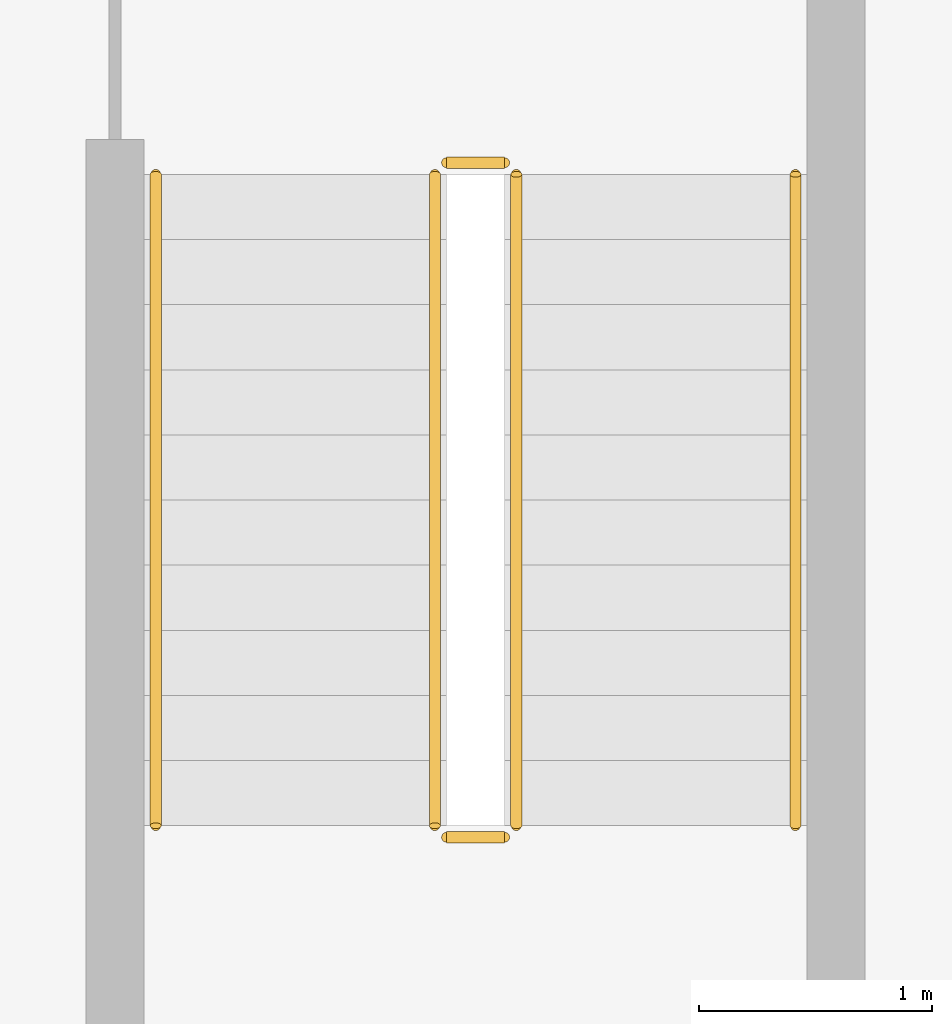
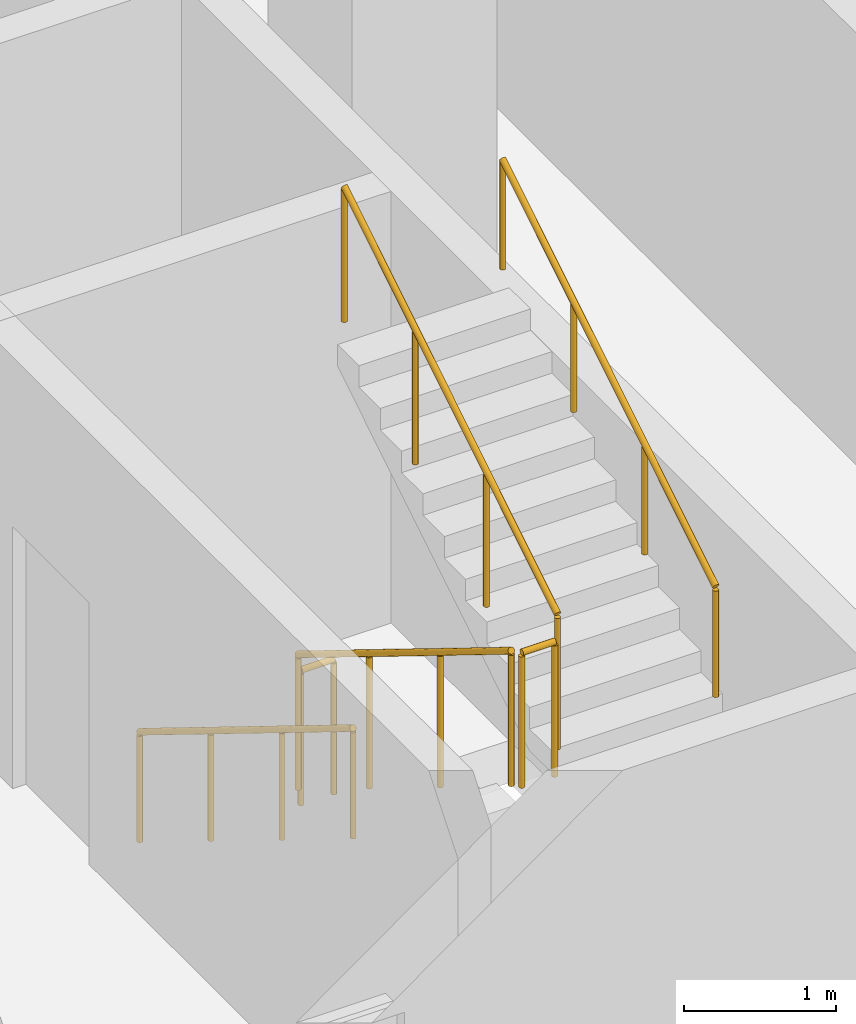
# One storey, part 25 of 29: 6 railings.
"""IFC4 building model written with IfcOpenShell, lengths in metres."""

from ifc_helpers import new_model, si_unit, direction, frame, origin, origin_2d, place, context, subcontext, project, spatial, circle, extrude, material, type_object, element, save


model = new_model("IFC4")

# Units and contexts
model_context = context("Model", 3, precision=1e-05, world=origin(), true_north=direction((0.0, 1.0)))
body_context = subcontext(model_context, "Body", "Model", "MODEL_VIEW")
ifc_project = project(units=[si_unit("LENGTHUNIT", "METRE"), si_unit("AREAUNIT", "SQUARE_METRE"), si_unit("VOLUMEUNIT", "CUBIC_METRE"), si_unit("PLANEANGLEUNIT", "RADIAN"), si_unit("MASSUNIT", "GRAM", prefix="KILO")], contexts=[model_context])

# Site, building, storey
site_placement = place(None, origin())
site = spatial("IfcSite", under=ifc_project, at=site_placement, CompositionType="ELEMENT")
building_placement = place(site_placement, origin())
building = spatial("IfcBuilding", under=site, at=building_placement, Name="Mahtab Terrace Research Tower", CompositionType="ELEMENT")
storey_placement = place(building_placement, frame((0.0, 0.0, 197.699951171875)))
storey = spatial("IfcBuildingStorey", under=building, at=storey_placement, Name="L47", CompositionType="ELEMENT", Elevation=197.699951171875)

# Railings
ifc_material = material(Name="Stainless steel AISI 304", Category="steel")
railing_type_1 = type_object("IfcRailingType", Name="Stair guard 1100", PredefinedType="GUARDRAIL", material=ifc_material)
railing_1_placement = place(storey_placement, frame((2.949951171875, -4.175048828125, 0.1728515625)))
element("IfcRailing", 1, at=railing_1_placement, inside=storey, type_object=railing_type_1, Name="L47 ST2 stair guard 1", PredefinedType="GUARDRAIL", context=body_context, shape_type="SweptSolid", body=[
    extrude(circle(Radius=0.02392578125, at=origin_2d()), frame((0.0, 0.0, 1.076171875), z_axis=(0.0, -0.851089632645, 0.525020415988), x_axis=(1.0, 0.0, 0.0)), (0.0, 0.0, 1.0), 3.2900390625),
    extrude(circle(Radius=0.02099609375, at=origin_2d()), origin(), (0.0, 0.0, 1.0), 1.052001953125),
    extrude(circle(Radius=0.02099609375, at=origin_2d()), frame((0.0, -0.933349609375, 0.57568359375)), (0.0, 0.0, 1.0), 1.052001953125),
    extrude(circle(Radius=0.02099609375, at=origin_2d()), frame((0.0, -1.86669921875, 1.151611328125)), (0.0, 0.0, 1.0), 1.052001953125),
    extrude(circle(Radius=0.02099609375, at=origin_2d()), frame((0.0, -2.800048828125, 1.727294921875)), (0.0, 0.0, 1.0), 1.052001953125),
])
railing_2_placement = place(storey_placement, frame((3.0, -7.02490234375, 1.900146484375)))
element("IfcRailing", 2, at=railing_2_placement, inside=storey, type_object=railing_type_1, Name="L47 ST2 stair guard 2", PredefinedType="GUARDRAIL", context=body_context, shape_type="SweptSolid", body=[
    extrude(circle(Radius=0.02392578125, at=origin_2d()), frame((0.0, 0.0, 1.076171875), z_axis=(1.0, 0.0, 0.0), x_axis=(0.0, 1.0, 0.0)), (0.0, 0.0, 1.0), 0.25),
    extrude(circle(Radius=0.02099609375, at=origin_2d()), origin(), (0.0, 0.0, 1.0), 1.052001953125),
    extrude(circle(Radius=0.02099609375, at=origin_2d()), frame((0.25, 0.0, 0.0)), (0.0, 0.0, 1.0), 1.052001953125),
])
railing_3_placement = place(storey_placement, frame((3.300048828125, -6.97509765625, 2.07275390625)))
element("IfcRailing", 3, at=railing_3_placement, inside=storey, type_object=railing_type_1, Name="L47 ST2 stair guard 3", PredefinedType="GUARDRAIL", context=body_context, shape_type="SweptSolid", body=[
    extrude(circle(Radius=0.02392578125, at=origin_2d()), frame((0.0, 0.0, 1.076171875), z_axis=(0.0, 0.851089632645, 0.525020415988), x_axis=(-1.0, 0.0, 0.0)), (0.0, 0.0, 1.0), 3.2900390625),
    extrude(circle(Radius=0.02099609375, at=origin_2d()), origin(), (0.0, 0.0, 1.0), 1.052001953125),
    extrude(circle(Radius=0.02099609375, at=origin_2d()), frame((0.0, 0.933349609375, 0.57568359375)), (0.0, 0.0, 1.0), 1.052001953125),
    extrude(circle(Radius=0.02099609375, at=origin_2d()), frame((0.0, 1.86669921875, 1.151611328125)), (0.0, 0.0, 1.0), 1.052001953125),
    extrude(circle(Radius=0.02099609375, at=origin_2d()), frame((0.0, 2.800048828125, 1.727294921875)), (0.0, 0.0, 1.0), 1.052001953125),
])
railing_4_placement = place(storey_placement, frame((3.0, -4.125, 0.0)))
element("IfcRailing", 4, at=railing_4_placement, inside=storey, type_object=railing_type_1, Name="L47 ST2 stair guard 4", PredefinedType="GUARDRAIL", context=body_context, shape_type="SweptSolid", body=[
    extrude(circle(Radius=0.02392578125, at=origin_2d()), frame((0.0, 0.0, 1.076171875), z_axis=(1.0, 0.0, 0.0), x_axis=(0.0, 1.0, 0.0)), (0.0, 0.0, 1.0), 0.25),
    extrude(circle(Radius=0.02099609375, at=origin_2d()), origin(), (0.0, 0.0, 1.0), 1.052001953125),
    extrude(circle(Radius=0.02099609375, at=origin_2d()), frame((0.25, 0.0, 0.0)), (0.0, 0.0, 1.0), 1.052001953125),
])
railing_type_2 = type_object("IfcRailingType", Name="Stair handrail 900", PredefinedType="HANDRAIL", material=ifc_material)
railing_5_placement = place(storey_placement, frame((1.75, -4.175048828125, 0.1728515625)))
element("IfcRailing", 5, at=railing_5_placement, inside=storey, type_object=railing_type_2, Name="L47 ST2 stair handrail 1", PredefinedType="HANDRAIL", context=body_context, shape_type="SweptSolid", body=[
    extrude(circle(Radius=0.02392578125, at=origin_2d()), frame((0.0, 0.0, 0.8759765625), z_axis=(0.0, -0.851089632645, 0.525020415988), x_axis=(1.0, 0.0, 0.0)), (0.0, 0.0, 1.0), 3.2900390625),
    extrude(circle(Radius=0.02099609375, at=origin_2d()), origin(), (0.0, 0.0, 1.0), 0.851806640625),
    extrude(circle(Radius=0.02099609375, at=origin_2d()), frame((0.0, -0.933349609375, 0.57568359375)), (0.0, 0.0, 1.0), 0.851806640625),
    extrude(circle(Radius=0.02099609375, at=origin_2d()), frame((0.0, -1.86669921875, 1.151611328125)), (0.0, 0.0, 1.0), 0.851806640625),
    extrude(circle(Radius=0.02099609375, at=origin_2d()), frame((0.0, -2.800048828125, 1.727294921875)), (0.0, 0.0, 1.0), 0.851806640625),
])
railing_6_placement = place(storey_placement, frame((4.5, -6.97509765625, 2.07275390625)))
element("IfcRailing", 6, at=railing_6_placement, inside=storey, type_object=railing_type_2, Name="L47 ST2 stair handrail 2", PredefinedType="HANDRAIL", context=body_context, shape_type="SweptSolid", body=[
    extrude(circle(Radius=0.02392578125, at=origin_2d()), frame((0.0, 0.0, 0.8759765625), z_axis=(0.0, 0.851089632645, 0.525020415988), x_axis=(-1.0, 0.0, 0.0)), (0.0, 0.0, 1.0), 3.2900390625),
    extrude(circle(Radius=0.02099609375, at=origin_2d()), origin(), (0.0, 0.0, 1.0), 0.851806640625),
    extrude(circle(Radius=0.02099609375, at=origin_2d()), frame((0.0, 0.933349609375, 0.57568359375)), (0.0, 0.0, 1.0), 0.851806640625),
    extrude(circle(Radius=0.02099609375, at=origin_2d()), frame((0.0, 1.86669921875, 1.151611328125)), (0.0, 0.0, 1.0), 0.851806640625),
    extrude(circle(Radius=0.02099609375, at=origin_2d()), frame((0.0, 2.800048828125, 1.727294921875)), (0.0, 0.0, 1.0), 0.851806640625),
])

save(model, "model.ifc")
